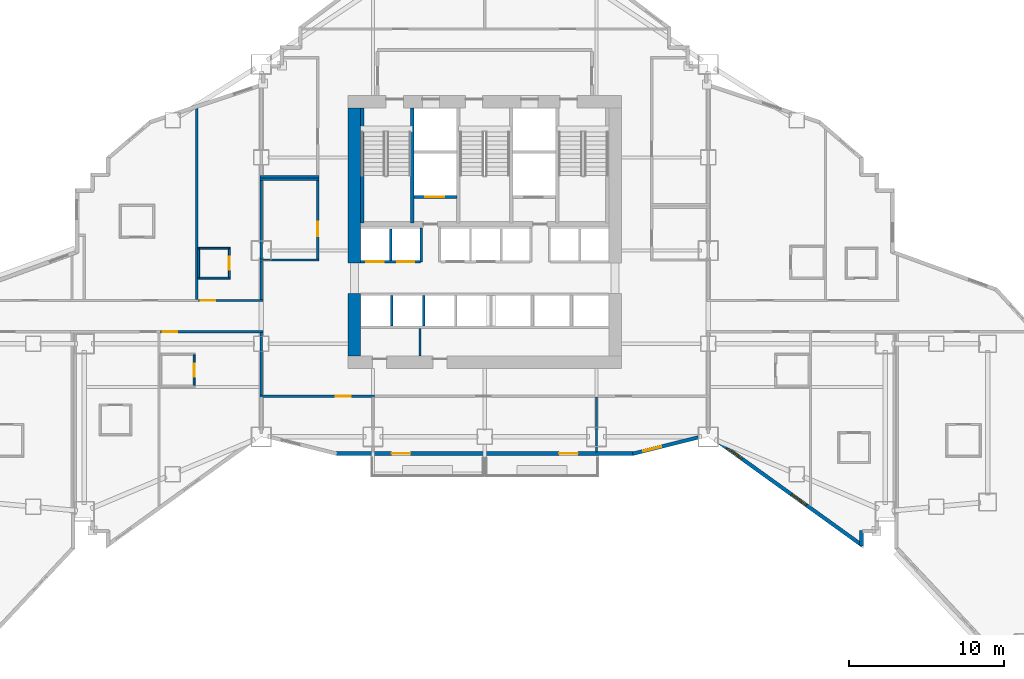
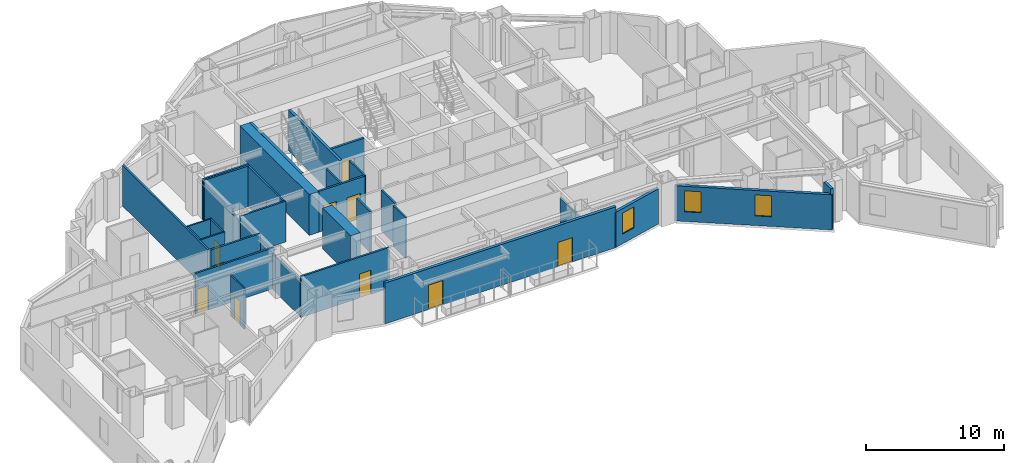
# One storey, part 8 of 17: 32 walls, 11 doors, 3 windows, 14 openings.
"""IFC4 building model written with IfcOpenShell, lengths in metres."""

from ifc_helpers import new_model, si_unit, direction, frame, frame_2d, origin, place, context, subcontext, project, spatial, rectangle, extrude, material, layer, layer_set, type_object, element, fill, save


model = new_model("IFC4")

# Units and contexts
model_context = context("Model", 3, precision=1e-05, world=origin(), true_north=direction((0.0, 1.0)))
body_context = subcontext(model_context, "Body", "Model", "MODEL_VIEW")
ifc_project = project(units=[si_unit("LENGTHUNIT", "METRE"), si_unit("AREAUNIT", "SQUARE_METRE"), si_unit("VOLUMEUNIT", "CUBIC_METRE"), si_unit("PLANEANGLEUNIT", "RADIAN"), si_unit("MASSUNIT", "GRAM", prefix="KILO")], contexts=[model_context])

# Site, building, storey
site_placement = place(None, origin())
site = spatial("IfcSite", under=ifc_project, at=site_placement, CompositionType="ELEMENT")
building_placement = place(site_placement, origin())
building = spatial("IfcBuilding", under=site, at=building_placement, Name="Haolan Belvedere Tower", CompositionType="ELEMENT")
storey_placement = place(building_placement, frame((0.0, 0.0, 27.800048828125)))
storey = spatial("IfcBuildingStorey", under=building, at=storey_placement, Name="L06", CompositionType="ELEMENT", Elevation=27.800048828125)

# Walls
ifc_material_1 = material(Name="Concrete C70/85", Category="concrete")
ifc_layer_1 = layer(ifc_material_1, 0.800048828125, Name="Concrete C70/85")
ifc_layer_set_1 = layer_set([ifc_layer_1], Name="Concrete C70/85")
wall_type_1 = type_object("IfcWallType", Name="WL-CORE-800", PredefinedType="SHEAR", material=ifc_layer_set_1)
wall_1_placement = place(storey_placement, frame((30.0, 26.800048828125, 0.0), z_axis=(0.0, 0.0, 1.0), x_axis=(0.0, 1.0, 0.0)))
element("IfcWall", 1, at=wall_1_placement, inside=storey, type_object=wall_type_1, Name="L06 central core shear wall WS", PredefinedType="SHEAR", context=body_context, shape_type="SweptSolid", body=[
    extrude(rectangle(XDim=4.050048828125, YDim=0.800048828125, at=frame_2d((2.02490234375, 0.0))), origin(), (0.0, 0.0, 1.0), 3.599853515625),
])
wall_2_placement = place(storey_placement, frame((30.0, 32.800048828125, 0.0), z_axis=(0.0, 0.0, 1.0), x_axis=(0.0, 1.0, 0.0)))
element("IfcWall", 2, at=wall_2_placement, inside=storey, type_object=wall_type_1, Name="L06 central core shear wall WN", PredefinedType="SHEAR", context=body_context, shape_type="SweptSolid", body=[
    extrude(rectangle(XDim=10.0, YDim=0.800048828125, at=frame_2d((5.0, 0.0))), origin(), (0.0, 0.0, 1.0), 3.599853515625),
])

# Wall, openings, doors
ifc_material_2 = material(Name="Precast concrete C40/50", Category="concrete")
ifc_layer_2 = layer(ifc_material_2, 0.239990234375, Name="Precast concrete C40/50")
ifc_layer_set_2 = layer_set([ifc_layer_2], Name="Precast concrete C40/50")
wall_type_2 = type_object("IfcWallType", Name="WL-EXT-240", PredefinedType="SOLIDWALL", material=ifc_layer_set_2)
wall_3_placement = place(storey_placement, frame((28.759765625, 20.52001953125, 0.0), z_axis=(0.0, 0.0, 1.0), x_axis=(1.0, 0.0, 0.0)))
wall_3 = element("IfcWall", 3, at=wall_3_placement, inside=storey, type_object=wall_type_2, Name="L06 pale-metal exterior spandrel wall 13.1", PredefinedType="SOLIDWALL", context=body_context, shape_type="SweptSolid", body=[
    extrude(rectangle(XDim=19.280517578125, YDim=0.239990234375, at=frame_2d((9.64013671875, 0.0))), origin(), (0.0, 0.0, 1.0), 3.599853515625),
])
opening_1_placement = place(wall_3_placement, frame((4.840087890625, 0.0, 0.0), z_axis=(0.0, 0.0, 1.0), x_axis=(-1.0, 0.0, 0.0)))
opening_1 = element("IfcOpeningElement", 4, at=opening_1_placement, cuts=wall_3, Name="Opening BD-01", PredefinedType="OPENING", context=body_context, shape_type="SweptSolid", body=[
    extrude(rectangle(XDim=1.199951171875, YDim=2.14990234375, at=frame_2d((0.60009765625, 1.074951171875))), frame((0.0, 0.1298828125, 0.0), z_axis=(0.0, -1.0, 0.0), x_axis=(1.0, 0.0, 0.0)), (0.0, 0.0, 1.0), 0.260009765625),
])
opening_2_placement = place(wall_3_placement, frame((15.64013671875, 0.0, 0.0), z_axis=(0.0, 0.0, 1.0), x_axis=(-1.0, 0.0, 0.0)))
opening_2 = element("IfcOpeningElement", 5, at=opening_2_placement, cuts=wall_3, Name="Opening BD-01", PredefinedType="OPENING", context=body_context, shape_type="SweptSolid", body=[
    extrude(rectangle(XDim=1.199951171875, YDim=2.14990234375, at=frame_2d((0.60009765625, 1.074951171875))), frame((0.0, 0.1298828125, 0.0), z_axis=(0.0, -1.0, 0.0), x_axis=(1.0, 0.0, 0.0)), (0.0, 0.0, 1.0), 0.260009765625),
])
ifc_material_3 = material(Name="Thermally broken pale-metal aluminium and Low-E glass", Category="aluminium")
door_type_1 = type_object("IfcDoorType", Name="DR-BAL-1200", OperationType="NOTDEFINED", PredefinedType="DOOR", material=ifc_material_3)
door_1_placement = place(opening_1_placement, origin())
door_1 = element("IfcDoor", 6, at=door_1_placement, inside=storey, type_object=door_type_1, Name="L06 tree-balcony access door 1", OperationType="SINGLE_SWING_RIGHT", OverallHeight=2.14990234375, OverallWidth=1.199951171875, PredefinedType="DOOR", context=body_context, shape_type="SweptSolid", body=[
    extrude(rectangle(XDim=1.199951171875, YDim=2.14990234375, at=frame_2d((0.60009765625, 1.074951171875))), frame((0.0, 0.02490234375, 0.0), z_axis=(0.0, -1.0, 0.0), x_axis=(1.0, 0.0, 0.0)), (0.0, 0.0, 1.0), 0.050048828125),
])
fill(opening_1, door_1)
door_2_placement = place(opening_2_placement, origin())
door_2 = element("IfcDoor", 7, at=door_2_placement, inside=storey, type_object=door_type_1, Name="L06 tree-balcony access door 2", OperationType="SINGLE_SWING_LEFT", OverallHeight=2.14990234375, OverallWidth=1.199951171875, PredefinedType="DOOR", context=body_context, shape_type="SweptSolid", body=[
    extrude(rectangle(XDim=1.199951171875, YDim=2.14990234375, at=frame_2d((0.60009765625, 1.074951171875))), frame((0.0, 0.02490234375, 0.0), z_axis=(0.0, -1.0, 0.0), x_axis=(1.0, 0.0, 0.0)), (0.0, 0.0, 1.0), 0.050048828125),
])
fill(opening_2, door_2)

# Wall, opening, window
wall_4_placement = place(storey_placement, frame((47.931884765625, 20.506591796875, 0.0), z_axis=(0.0, 0.0, 1.0), x_axis=(0.970135906278, 0.242561998982, 0.0)))
wall_4 = element("IfcWall", 8, at=wall_4_placement, inside=storey, type_object=wall_type_2, Name="L06 pale-metal exterior spandrel wall 14.1", PredefinedType="SOLIDWALL", context=body_context, shape_type="SweptSolid", body=[
    extrude(rectangle(XDim=4.356201171875, YDim=0.239990234375, at=frame_2d((2.17822265625, 0.0))), origin(), (0.0, 0.0, 1.0), 3.096923828125),
])
opening_3_placement = place(wall_4_placement, frame((0.699951171875, 0.0, 0.85009765625)))
opening_3 = element("IfcOpeningElement", 9, at=opening_3_placement, cuts=wall_4, Name="Opening W-01", PredefinedType="OPENING", context=body_context, shape_type="SweptSolid", body=[
    extrude(rectangle(XDim=1.199951171875, YDim=1.85009765625, at=frame_2d((0.60009765625, 0.925048828125))), frame((0.0, 0.1298828125, 0.0), z_axis=(0.0, -1.0, 0.0), x_axis=(1.0, 0.0, 0.0)), (0.0, 0.0, 1.0), 0.260009765625),
])
ifc_material_4 = material(Name="Anodised aluminium 6063-T6 and Low-E glass", Category="aluminium")
window_type = type_object("IfcWindowType", Name="WN-DECO-Z1", PartitioningType="SINGLE_PANEL", PredefinedType="WINDOW", material=ifc_material_4)
window_1_placement = place(opening_3_placement, origin())
window_1 = element("IfcWindow", 10, at=window_1_placement, inside=storey, type_object=window_type, Name="L06 Art Deco chevron window 1", OverallHeight=1.85009765625, OverallWidth=1.199951171875, PartitioningType="SINGLE_PANEL", PredefinedType="WINDOW", context=body_context, shape_type="SweptSolid", body=[
    extrude(rectangle(XDim=1.199951171875, YDim=1.85009765625, at=frame_2d((0.60009765625, 0.925048828125))), frame((0.0, 0.030029296875, 0.0), z_axis=(0.0, -1.0, 0.0), x_axis=(1.0, 0.0, 0.0)), (0.0, 0.0, 1.0), 0.06005859375),
])
fill(opening_3, window_1)

# Wall, openings, windows
wall_5_placement = place(storey_placement, frame((53.44189453125, 21.28564453125, 0.0), z_axis=(0.0, 0.0, 1.0), x_axis=(0.811542842993, -0.584292917967, 0.0)))
wall_5 = element("IfcWall", 11, at=wall_5_placement, inside=storey, type_object=wall_type_2, Name="L06 pale-metal exterior spandrel wall 15.1", PredefinedType="SOLIDWALL", context=body_context, shape_type="SweptSolid", body=[
    extrude(rectangle(XDim=11.4384765625, YDim=0.239990234375, at=frame_2d((5.71923828125, 0.0))), origin(), (0.0, 0.0, 1.0), 3.096923828125),
])
opening_4_placement = place(wall_5_placement, frame((0.699951171875, 0.0, 0.85009765625)))
opening_4 = element("IfcOpeningElement", 12, at=opening_4_placement, cuts=wall_5, Name="Opening W-01", PredefinedType="OPENING", context=body_context, shape_type="SweptSolid", body=[
    extrude(rectangle(XDim=1.199951171875, YDim=1.85009765625, at=frame_2d((0.60009765625, 0.925048828125))), frame((0.0, 0.1298828125, 0.0), z_axis=(0.0, -1.0, 0.0), x_axis=(1.0, 0.0, 0.0)), (0.0, 0.0, 1.0), 0.260009765625),
])
opening_5_placement = place(wall_5_placement, frame((5.818603515625, 0.0, 0.85009765625)))
opening_5 = element("IfcOpeningElement", 13, at=opening_5_placement, cuts=wall_5, Name="Opening W-01", PredefinedType="OPENING", context=body_context, shape_type="SweptSolid", body=[
    extrude(rectangle(XDim=1.199951171875, YDim=1.85009765625, at=frame_2d((0.60009765625, 0.925048828125))), frame((0.0, 0.1298828125, 0.0), z_axis=(0.0, -1.0, 0.0), x_axis=(1.0, 0.0, 0.0)), (0.0, 0.0, 1.0), 0.260009765625),
])
window_2_placement = place(opening_4_placement, origin())
window_2 = element("IfcWindow", 14, at=window_2_placement, inside=storey, type_object=window_type, Name="L06 Art Deco chevron window 1", OverallHeight=1.85009765625, OverallWidth=1.199951171875, PartitioningType="SINGLE_PANEL", PredefinedType="WINDOW", context=body_context, shape_type="SweptSolid", body=[
    extrude(rectangle(XDim=1.199951171875, YDim=1.85009765625, at=frame_2d((0.60009765625, 0.925048828125))), frame((0.0, 0.030029296875, 0.0), z_axis=(0.0, -1.0, 0.0), x_axis=(1.0, 0.0, 0.0)), (0.0, 0.0, 1.0), 0.06005859375),
])
fill(opening_4, window_2)
window_3_placement = place(opening_5_placement, origin())
window_3 = element("IfcWindow", 15, at=window_3_placement, inside=storey, type_object=window_type, Name="L06 Art Deco chevron window 2", OverallHeight=1.85009765625, OverallWidth=1.199951171875, PartitioningType="SINGLE_PANEL", PredefinedType="WINDOW", context=body_context, shape_type="SweptSolid", body=[
    extrude(rectangle(XDim=1.199951171875, YDim=1.85009765625, at=frame_2d((0.60009765625, 0.925048828125))), frame((0.0, 0.030029296875, 0.0), z_axis=(0.0, -1.0, 0.0), x_axis=(1.0, 0.0, 0.0)), (0.0, 0.0, 1.0), 0.06005859375),
])
fill(opening_5, window_3)

# Walls
wall_6_placement = place(storey_placement, frame((62.679931640625, 14.579345703125, 0.0), z_axis=(0.0, 0.0, 1.0), x_axis=(0.0, 1.0, 0.0)))
element("IfcWall", 16, at=wall_6_placement, inside=storey, type_object=wall_type_2, Name="L06 pale-metal exterior spandrel wall 16.1", PredefinedType="SOLIDWALL", context=body_context, shape_type="SweptSolid", body=[
    extrude(rectangle(XDim=0.99560546875, YDim=0.239990234375, at=frame_2d((0.497802734375, 0.0))), origin(), (0.0, 0.0, 1.0), 3.599853515625),
])
ifc_material_5 = material(Name="Double gypsum acoustic stud partition", Category="masonry")
ifc_layer_3 = layer(ifc_material_5, 0.14990234375, Name="Double gypsum acoustic stud partition")
ifc_layer_set_3 = layer_set([ifc_layer_3], Name="Double gypsum acoustic stud partition")
wall_type_3 = type_object("IfcWallType", Name="WL-PART-150", PredefinedType="PARTITIONING", material=ifc_layer_set_3)
wall_7_placement = place(storey_placement, frame((34.22998046875, 26.81005859375, 0.0), z_axis=(0.0, 0.0, 1.0), x_axis=(0.0, 1.0, 0.0)))
element("IfcWall", 17, at=wall_7_placement, inside=storey, type_object=wall_type_3, Name="L06 interior partition IW-L06-SCV-DIV-1", PredefinedType="PARTITIONING", context=body_context, shape_type="SweptSolid", body=[
    extrude(rectangle(XDim=1.77001953125, YDim=0.14990234375, at=frame_2d((0.885009765625, 0.0))), origin(), (0.0, 0.0, 1.0), 3.599853515625),
])
for number, where, z_axis, x_axis, name in (
    (18, (23.919921875, 38.199951171875, 0.0), (0.0, 0.0, 1.0), (1.0, 0.0, 0.0), "L06 interior partition IW-L06-HSK-N"),
    (19, (23.919921875, 33.0, 0.0), (0.0, 0.0, 1.0), (1.0, 0.0, 0.0), "L06 interior partition IW-L06-HSK-S"),
):
    element("IfcWall", number, at=place(storey_placement, frame(where, z_axis=z_axis, x_axis=x_axis)), inside=storey, type_object=wall_type_3, Name=name, PredefinedType="PARTITIONING", context=body_context, shape_type="SweptSolid", body=[
        extrude(rectangle(XDim=3.800048828125, YDim=0.14990234375, at=frame_2d((1.89990234375, 0.0))), origin(), (0.0, 0.0, 1.0), 3.599853515625),
    ])
wall_8_placement = place(storey_placement, frame((24.0, 33.06005859375, 0.0), z_axis=(0.0, 0.0, 1.0), x_axis=(0.0, 1.0, 0.0)))
element("IfcWall", 20, at=wall_8_placement, inside=storey, type_object=wall_type_3, Name="L06 interior partition IW-L06-HSK-W", PredefinedType="PARTITIONING", context=body_context, shape_type="SweptSolid", body=[
    extrude(rectangle(XDim=5.079833984375, YDim=0.14990234375, at=frame_2d((2.5400390625, 0.0))), origin(), (0.0, 0.0, 1.0), 3.096923828125),
])

# Wall, opening, door
wall_9_placement = place(storey_placement, frame((27.639892578125, 33.06005859375, 0.0), z_axis=(0.0, 0.0, 1.0), x_axis=(0.0, 1.0, 0.0)))
wall_9 = element("IfcWall", 21, at=wall_9_placement, inside=storey, type_object=wall_type_3, Name="L06 interior partition IW-L06-HSK-E", PredefinedType="PARTITIONING", context=body_context, shape_type="SweptSolid", body=[
    extrude(rectangle(XDim=5.079833984375, YDim=0.14990234375, at=frame_2d((2.5400390625, 0.0))), origin(), (0.0, 0.0, 1.0), 3.599853515625),
])
opening_6_placement = place(wall_9_placement, frame((2.409912109375, 0.0, 0.0), z_axis=(0.0, 0.0, 1.0), x_axis=(-1.0, 0.0, 0.0)))
opening_6 = element("IfcOpeningElement", 22, at=opening_6_placement, cuts=wall_9, Name="Opening ID-03", PredefinedType="OPENING", context=body_context, shape_type="SweptSolid", body=[
    extrude(rectangle(XDim=0.949951171875, YDim=2.1201171875, at=frame_2d((0.47509765625, 1.06005859375))), frame((0.0, 0.0849609375, 0.0), z_axis=(0.0, -1.0, 0.0), x_axis=(1.0, 0.0, 0.0)), (0.0, 0.0, 1.0), 0.169921875),
])
ifc_material_6 = material(Name="Painted solid-core timber", Category="wood")
door_type_2 = type_object("IfcDoorType", Name="DR-INT-950", OperationType="NOTDEFINED", PredefinedType="DOOR", material=ifc_material_6)
door_3_placement = place(opening_6_placement, origin())
door_3 = element("IfcDoor", 23, at=door_3_placement, inside=storey, type_object=door_type_2, Name="L06 door ID-L06-HSK", OperationType="SINGLE_SWING_LEFT", OverallHeight=2.1201171875, OverallWidth=0.949951171875, PredefinedType="DOOR", context=body_context, shape_type="SweptSolid", body=[
    extrude(rectangle(XDim=0.949951171875, YDim=2.1201171875, at=frame_2d((0.47509765625, 1.06005859375))), frame((0.0, 0.02490234375, 0.0), z_axis=(0.0, -1.0, 0.0), x_axis=(1.0, 0.0, 0.0)), (0.0, 0.0, 1.0), 0.050048828125),
])
fill(opening_6, door_3)

# Wall
wall_10_placement = place(storey_placement, frame((23.919921875, 38.360107421875, 0.0), z_axis=(0.0, 0.0, 1.0), x_axis=(1.0, 0.0, 0.0)))
element("IfcWall", 24, at=wall_10_placement, inside=storey, type_object=wall_type_3, Name="L06 interior partition IW-L06-VLT-S", PredefinedType="PARTITIONING", context=body_context, shape_type="SweptSolid", body=[
    extrude(rectangle(XDim=3.800048828125, YDim=0.14990234375, at=frame_2d((1.89990234375, 0.0))), origin(), (0.0, 0.0, 1.0), 3.599853515625),
])

# Wall, opening, door
wall_11_placement = place(storey_placement, frame((23.919921875, 24.219970703125, 0.0), z_axis=(0.0, 0.0, 1.0), x_axis=(1.0, 0.0, 0.0)))
wall_11 = element("IfcWall", 25, at=wall_11_placement, inside=storey, type_object=wall_type_3, Name="L06 interior partition IW-L06-KS1-N", PredefinedType="PARTITIONING", context=body_context, shape_type="SweptSolid", body=[
    extrude(rectangle(XDim=7.360107421875, YDim=0.14990234375, at=frame_2d((3.68017578125, 0.0))), origin(), (0.0, 0.0, 1.0), 3.599853515625),
])
opening_7_placement = place(wall_11_placement, frame((5.844970703125, 0.0, 0.0), z_axis=(0.0, 0.0, 1.0), x_axis=(-1.0, 0.0, 0.0)))
opening_7 = element("IfcOpeningElement", 26, at=opening_7_placement, cuts=wall_11, Name="Opening ID-03", PredefinedType="OPENING", context=body_context, shape_type="SweptSolid", body=[
    extrude(rectangle(XDim=0.949951171875, YDim=2.1201171875, at=frame_2d((0.47509765625, 1.06005859375))), frame((0.0, 0.0849609375, 0.0), z_axis=(0.0, -1.0, 0.0), x_axis=(1.0, 0.0, 0.0)), (0.0, 0.0, 1.0), 0.169921875),
])
door_4_placement = place(opening_7_placement, origin())
door_4 = element("IfcDoor", 27, at=door_4_placement, inside=storey, type_object=door_type_2, Name="L06 door ID-L06-KS1", OperationType="SINGLE_SWING_RIGHT", OverallHeight=2.1201171875, OverallWidth=0.949951171875, PredefinedType="DOOR", context=body_context, shape_type="SweptSolid", body=[
    extrude(rectangle(XDim=0.949951171875, YDim=2.1201171875, at=frame_2d((0.47509765625, 1.06005859375))), frame((0.0, 0.02490234375, 0.0), z_axis=(0.0, -1.0, 0.0), x_axis=(1.0, 0.0, 0.0)), (0.0, 0.0, 1.0), 0.050048828125),
])
fill(opening_7, door_4)

# Walls
wall_12_placement = place(storey_placement, frame((45.60009765625, 20.625, 0.0), z_axis=(0.0, 0.0, 1.0), x_axis=(0.0, 1.0, 0.0)))
element("IfcWall", 28, at=wall_12_placement, inside=storey, type_object=wall_type_3, Name="L06 interior partition IW-L06-KS2-E", PredefinedType="PARTITIONING", context=body_context, shape_type="SweptSolid", body=[
    extrude(rectangle(XDim=3.534912109375, YDim=0.14990234375, at=frame_2d((1.767578125, 0.0))), origin(), (0.0, 0.0, 1.0), 2.98486328125),
])
wall_13_placement = place(storey_placement, frame((19.85009765625, 30.43994140625, 0.0), z_axis=(0.0, 0.0, 1.0), x_axis=(0.0, 1.0, 0.0)))
element("IfcWall", 29, at=wall_13_placement, inside=storey, type_object=wall_type_3, Name="L06 interior partition IW-L06-T2N1-E", PredefinedType="PARTITIONING", context=body_context, shape_type="SweptSolid", body=[
    extrude(rectangle(XDim=12.339599609375, YDim=0.14990234375, at=frame_2d((6.169921875, 0.0))), origin(), (0.0, 0.0, 1.0), 3.599853515625),
])

# Wall, opening, door
wall_14_placement = place(storey_placement, frame((19.951904296875, 30.3798828125, 0.0), z_axis=(0.0, 0.0, 1.0), x_axis=(1.0, 0.0, 0.0)))
wall_14 = element("IfcWall", 30, at=wall_14_placement, inside=storey, type_object=wall_type_3, Name="L06 interior partition IW-L06-T2N2-S", PredefinedType="PARTITIONING", context=body_context, shape_type="SweptSolid", body=[
    extrude(rectangle(XDim=4.148193359375, YDim=0.14990234375, at=frame_2d((2.07421875, 0.0))), origin(), (0.0, 0.0, 1.0), 3.599853515625),
])
opening_8_placement = place(wall_14_placement, frame((0.139892578125, 0.0, 0.0)))
opening_8 = element("IfcOpeningElement", 31, at=opening_8_placement, cuts=wall_14, Name="Opening ID-02", PredefinedType="OPENING", context=body_context, shape_type="SweptSolid", body=[
    extrude(rectangle(XDim=0.949951171875, YDim=2.14990234375, at=frame_2d((0.47509765625, 1.074951171875))), frame((0.0, 0.0849609375, 0.0), z_axis=(0.0, -1.0, 0.0), x_axis=(1.0, 0.0, 0.0)), (0.0, 0.0, 1.0), 0.169921875),
])
ifc_material_7 = material(Name="Acoustic oak veneer fire-rated timber", Category="wood")
door_type_3 = type_object("IfcDoorType", Name="DR-GUEST-950", OperationType="NOTDEFINED", PredefinedType="DOOR", material=ifc_material_7)
door_5_placement = place(opening_8_placement, origin())
door_5 = element("IfcDoor", 32, at=door_5_placement, inside=storey, type_object=door_type_3, Name="L06 door ID-L06-T2N2-ENT", OperationType="SINGLE_SWING_RIGHT", OverallHeight=2.14990234375, OverallWidth=0.949951171875, PredefinedType="DOOR", context=body_context, shape_type="SweptSolid", body=[
    extrude(rectangle(XDim=0.949951171875, YDim=2.14990234375, at=frame_2d((0.47509765625, 1.074951171875))), frame((0.0, 0.02490234375, 0.0), z_axis=(0.0, -1.0, 0.0), x_axis=(1.0, 0.0, 0.0)), (0.0, 0.0, 1.0), 0.050048828125),
])
fill(opening_8, door_5)

# Wall
wall_15_placement = place(storey_placement, frame((24.0, 30.43994140625, 0.0), z_axis=(0.0, 0.0, 1.0), x_axis=(0.0, 1.0, 0.0)))
element("IfcWall", 33, at=wall_15_placement, inside=storey, type_object=wall_type_3, Name="L06 interior partition IW-L06-T2N2-E", PredefinedType="PARTITIONING", context=body_context, shape_type="SweptSolid", body=[
    extrude(rectangle(XDim=2.5, YDim=0.14990234375, at=frame_2d((1.25, 0.0))), origin(), (0.0, 0.0, 1.0), 3.096923828125),
])

# Wall, opening, door
wall_16_placement = place(storey_placement, frame((17.511962890625, 28.3701171875, 0.0), z_axis=(0.0, 0.0, 1.0), x_axis=(1.0, 0.0, 0.0)))
wall_16 = element("IfcWall", 34, at=wall_16_placement, inside=storey, type_object=wall_type_3, Name="L06 interior partition IW-L06-T2S2-N", PredefinedType="PARTITIONING", context=body_context, shape_type="SweptSolid", body=[
    extrude(rectangle(XDim=6.588134765625, YDim=0.14990234375, at=frame_2d((3.2939453125, 0.0))), origin(), (0.0, 0.0, 1.0), 3.599853515625),
])
opening_9_placement = place(wall_16_placement, frame((1.08984375, 0.0, 0.0), z_axis=(0.0, 0.0, 1.0), x_axis=(-1.0, 0.0, 0.0)))
opening_9 = element("IfcOpeningElement", 35, at=opening_9_placement, cuts=wall_16, Name="Opening ID-01", PredefinedType="OPENING", context=body_context, shape_type="SweptSolid", body=[
    extrude(rectangle(XDim=0.949951171875, YDim=2.179931640625, at=frame_2d((0.47509765625, 1.08984375))), frame((0.0, 0.0849609375, 0.0), z_axis=(0.0, -1.0, 0.0), x_axis=(1.0, 0.0, 0.0)), (0.0, 0.0, 1.0), 0.169921875),
])
ifc_material_8 = material(Name="Acoustic walnut veneer fire-rated timber", Category="wood")
door_type_4 = type_object("IfcDoorType", Name="DR-SUITE-950", OperationType="NOTDEFINED", PredefinedType="DOOR", material=ifc_material_8)
door_6_placement = place(opening_9_placement, origin())
door_6 = element("IfcDoor", 36, at=door_6_placement, inside=storey, type_object=door_type_4, Name="L06 door ID-L06-T2S2-ENT", OperationType="SINGLE_SWING_RIGHT", OverallHeight=2.179931640625, OverallWidth=0.949951171875, PredefinedType="DOOR", context=body_context, shape_type="SweptSolid", body=[
    extrude(rectangle(XDim=0.949951171875, YDim=2.179931640625, at=frame_2d((0.47509765625, 1.08984375))), frame((0.0, 0.02490234375, 0.0), z_axis=(0.0, -1.0, 0.0), x_axis=(1.0, 0.0, 0.0)), (0.0, 0.0, 1.0), 0.050048828125),
])
fill(opening_9, door_6)

# Walls
wall_17_placement = place(storey_placement, frame((24.0, 24.280029296875, 0.0), z_axis=(0.0, 0.0, 1.0), x_axis=(0.0, 1.0, 0.0)))
element("IfcWall", 37, at=wall_17_placement, inside=storey, type_object=wall_type_3, Name="L06 interior partition IW-L06-T2S2-E", PredefinedType="PARTITIONING", context=body_context, shape_type="SweptSolid", body=[
    extrude(rectangle(XDim=4.030029296875, YDim=0.14990234375, at=frame_2d((2.01513671875, 0.0))), origin(), (0.0, 0.0, 1.0), 3.096923828125),
])
ifc_material_9 = material(Name="Gypsum fire shaftwall assembly", Category="masonry")
ifc_layer_4 = layer(ifc_material_9, 0.1650390625, Name="Gypsum fire shaftwall assembly")
ifc_layer_set_4 = layer_set([ifc_layer_4], Name="Gypsum fire shaftwall assembly")
wall_type_4 = type_object("IfcWallType", Name="WL-SHAFT-160", PredefinedType="SOLIDWALL", material=ifc_layer_set_4)
wall_18_placement = place(storey_placement, frame((34.31005859375, 32.8798828125, 0.0), z_axis=(0.0, 0.0, 1.0), x_axis=(0.0, 1.0, 0.0)))
element("IfcWall", 38, at=wall_18_placement, inside=storey, type_object=wall_type_4, Name="L06 interior partition IW-L06-SVP-W-SV1", PredefinedType="SOLIDWALL", context=body_context, shape_type="SweptSolid", body=[
    extrude(rectangle(XDim=2.170166015625, YDim=0.14990234375, at=frame_2d((1.0849609375, 0.0))), origin(), (0.0, 0.0, 1.0), 3.599853515625),
])

# Wall, openings, doors
wall_19_placement = place(storey_placement, frame((30.39990234375, 32.8798828125, 0.0), z_axis=(0.0, 0.0, 1.0), x_axis=(1.0, 0.0, 0.0)))
wall_19 = element("IfcWall", 39, at=wall_19_placement, inside=storey, type_object=wall_type_4, Name="L06 interior partition IW-L06-ROW-PN1", PredefinedType="SOLIDWALL", context=body_context, shape_type="SweptSolid", body=[
    extrude(rectangle(XDim=3.85009765625, YDim=0.159912109375, at=frame_2d((1.925048828125, 0.0))), origin(), (0.0, 0.0, 1.0), 3.599853515625),
])
opening_10_placement = place(wall_19_placement, frame((1.47998046875, 0.0, 0.0), z_axis=(0.0, 0.0, 1.0), x_axis=(-1.0, 0.0, 0.0)))
opening_10 = element("IfcOpeningElement", 40, at=opening_10_placement, cuts=wall_19, Name="Opening LD-01", PredefinedType="OPENING", context=body_context, shape_type="SweptSolid", body=[
    extrude(rectangle(XDim=1.10009765625, YDim=2.199951171875, at=frame_2d((0.550048828125, 1.10009765625))), frame((0.0, 0.08984375, 0.0), z_axis=(0.0, -1.0, 0.0), x_axis=(1.0, 0.0, 0.0)), (0.0, 0.0, 1.0), 0.179931640625),
])
opening_11_placement = place(wall_19_placement, frame((3.47021484375, 0.0, 0.0), z_axis=(0.0, 0.0, 1.0), x_axis=(-1.0, 0.0, 0.0)))
opening_11 = element("IfcOpeningElement", 41, at=opening_11_placement, cuts=wall_19, Name="Opening LD-01", PredefinedType="OPENING", context=body_context, shape_type="SweptSolid", body=[
    extrude(rectangle(XDim=1.10009765625, YDim=2.199951171875, at=frame_2d((0.550048828125, 1.10009765625))), frame((0.0, 0.08984375, 0.0), z_axis=(0.0, -1.0, 0.0), x_axis=(1.0, 0.0, 0.0)), (0.0, 0.0, 1.0), 0.179931640625),
])
ifc_material_10 = material(Name="Brushed champagne stainless steel 316L", Category="steel")
door_type_5 = type_object("IfcDoorType", Name="DR-LIFT-1100", OperationType="SLIDING_TO_LEFT", PredefinedType="DOOR", material=ifc_material_10)
door_7_placement = place(opening_10_placement, origin())
door_7 = element("IfcDoor", 42, at=door_7_placement, inside=storey, type_object=door_type_5, Name="L06 door ID-L06-LD-PL1", OperationType="SLIDING_TO_LEFT", OverallHeight=2.199951171875, OverallWidth=1.10009765625, PredefinedType="DOOR", context=body_context, shape_type="SweptSolid", body=[
    extrude(rectangle(XDim=1.10009765625, YDim=2.199951171875, at=frame_2d((0.550048828125, 1.10009765625))), frame((0.0, 0.02490234375, 0.0), z_axis=(0.0, -1.0, 0.0), x_axis=(1.0, 0.0, 0.0)), (0.0, 0.0, 1.0), 0.050048828125),
])
fill(opening_10, door_7)
door_8_placement = place(opening_11_placement, origin())
door_8 = element("IfcDoor", 43, at=door_8_placement, inside=storey, type_object=door_type_5, Name="L06 door ID-L06-LD-PL2", OperationType="SLIDING_TO_LEFT", OverallHeight=2.199951171875, OverallWidth=1.10009765625, PredefinedType="DOOR", context=body_context, shape_type="SweptSolid", body=[
    extrude(rectangle(XDim=1.10009765625, YDim=2.199951171875, at=frame_2d((0.550048828125, 1.10009765625))), frame((0.0, 0.02490234375, 0.0), z_axis=(0.0, -1.0, 0.0), x_axis=(1.0, 0.0, 0.0)), (0.0, 0.0, 1.0), 0.050048828125),
])
fill(opening_11, door_8)

# Walls
wall_20_placement = place(storey_placement, frame((32.340087890625, 32.949951171875, 0.0), z_axis=(0.0, 0.0, 1.0), x_axis=(0.0, 1.0, 0.0)))
element("IfcWall", 44, at=wall_20_placement, inside=storey, type_object=wall_type_4, Name="L06 interior partition IW-L06-DIV-PL1", PredefinedType="SOLIDWALL", context=body_context, shape_type="SweptSolid", body=[
    extrude(rectangle(XDim=2.050048828125, YDim=0.14990234375, at=frame_2d((1.02490234375, 0.0))), origin(), (0.0, 0.0, 1.0), 3.599853515625),
])
for number, where, z_axis, x_axis, name in (
    (45, (32.39990234375, 28.735107421875, 0.0), (0.0, 0.0, 1.0), (0.0, 1.0, 0.0), "L06 interior partition IW-L06-DIV-PM1"),
    (46, (34.4599609375, 28.735107421875, 0.0), (0.0, 0.0, 1.0), (0.0, 1.0, 0.0), "L06 interior partition IW-L06-DIV-PM2"),
):
    element("IfcWall", number, at=place(storey_placement, frame(where, z_axis=z_axis, x_axis=x_axis)), inside=storey, type_object=wall_type_4, Name=name, PredefinedType="SOLIDWALL", context=body_context, shape_type="SweptSolid", body=[
        extrude(rectangle(XDim=1.98486328125, YDim=0.14990234375, at=frame_2d((0.992431640625, 0.0))), origin(), (0.0, 0.0, 1.0), 3.599853515625),
    ])

# Wall, opening, door
ifc_layer_5 = layer(ifc_material_2, 0.179931640625, Name="Precast concrete C40/50")
ifc_layer_set_5 = layer_set([ifc_layer_5], Name="Precast concrete C40/50")
wall_type_5 = type_object("IfcWallType", Name="WL-SHAFT-180", PredefinedType="SOLIDWALL", material=ifc_layer_set_5)
wall_21_placement = place(storey_placement, frame((33.8349609375, 37.050048828125, 0.0), z_axis=(0.0, 0.0, 1.0), x_axis=(1.0, 0.0, 0.0)))
wall_21 = element("IfcWall", 47, at=wall_21_placement, inside=storey, type_object=wall_type_5, Name="L06 interior partition IW-L06-SV1-S", PredefinedType="SOLIDWALL", context=body_context, shape_type="SweptSolid", body=[
    extrude(rectangle(XDim=2.77001953125, YDim=0.179931640625, at=frame_2d((1.385009765625, 0.0))), origin(), (0.0, 0.0, 1.0), 3.599853515625),
])
opening_12_placement = place(wall_21_placement, frame((1.945068359375, 0.0, 0.0), z_axis=(0.0, 0.0, 1.0), x_axis=(-1.0, 0.0, 0.0)))
opening_12 = element("IfcOpeningElement", 48, at=opening_12_placement, cuts=wall_21, Name="Opening LD-02", PredefinedType="OPENING", context=body_context, shape_type="SweptSolid", body=[
    extrude(rectangle(XDim=1.199951171875, YDim=2.199951171875, at=frame_2d((0.60009765625, 1.10009765625))), frame((0.0, 0.099853515625, 0.0), z_axis=(0.0, -1.0, 0.0), x_axis=(1.0, 0.0, 0.0)), (0.0, 0.0, 1.0), 0.199951171875),
])
door_type_6 = type_object("IfcDoorType", Name="DR-LIFT-1200", OperationType="SLIDING_TO_RIGHT", PredefinedType="DOOR", material=ifc_material_10)
door_9_placement = place(opening_12_placement, origin())
door_9 = element("IfcDoor", 49, at=door_9_placement, inside=storey, type_object=door_type_6, Name="L06 door ID-L06-LD-SV1", OperationType="SLIDING_TO_RIGHT", OverallHeight=2.199951171875, OverallWidth=1.199951171875, PredefinedType="DOOR", context=body_context, shape_type="SweptSolid", body=[
    extrude(rectangle(XDim=1.199951171875, YDim=2.199951171875, at=frame_2d((0.60009765625, 1.10009765625))), frame((0.0, 0.02490234375, 0.0), z_axis=(0.0, -1.0, 0.0), x_axis=(1.0, 0.0, 0.0)), (0.0, 0.0, 1.0), 0.050048828125),
])
fill(opening_12, door_9)

# Walls
ifc_material_11 = material(Name="Concrete C50/60", Category="concrete")
ifc_layer_6 = layer(ifc_material_11, 0.219970703125, Name="Concrete C50/60")
ifc_layer_set_6 = layer_set([ifc_layer_6], Name="Concrete C50/60")
wall_type_6 = type_object("IfcWallType", Name="WL-STAIR-220", PredefinedType="SHEAR", material=ifc_layer_set_6)
for number, where, z_axis, x_axis, name in (
    (50, (30.511962890625, 35.389892578125, 0.0), (0.0, 0.0, 1.0), (0.0, 1.0, 0.0), "L06 structural stair core wall ST1W"),
    (51, (33.739990234375, 35.389892578125, 0.0), (0.0, 0.0, 1.0), (0.0, 1.0, 0.0), "L06 structural stair core wall ST1E"),
):
    element("IfcWall", number, at=place(storey_placement, frame(where, z_axis=z_axis, x_axis=x_axis)), inside=storey, type_object=wall_type_6, Name=name, PredefinedType="SHEAR", context=body_context, shape_type="SweptSolid", body=[
        extrude(rectangle(XDim=7.41015625, YDim=0.219970703125, at=frame_2d((3.705078125, 0.0))), origin(), (0.0, 0.0, 1.0), 3.599853515625),
    ])
ifc_material_12 = material(Name="Moisture-resistant gypsum tile partition", Category="masonry")
ifc_layer_7 = layer(ifc_material_12, 0.1201171875, Name="Moisture-resistant gypsum tile partition")
ifc_layer_set_7 = layer_set([ifc_layer_7], Name="Moisture-resistant gypsum tile partition")
wall_type_7 = type_object("IfcWallType", Name="WL-WET-120", PredefinedType="PARTITIONING", material=ifc_layer_set_7)
for number, where, z_axis, x_axis, name in (
    (52, (19.909912109375, 33.75, 0.0), (0.0, 0.0, 1.0), (1.0, 0.0, 0.0), "L06 interior partition IW-L06-T2N2-BN"),
    (53, (19.909912109375, 31.830078125, 0.0), (0.0, 0.0, 1.0), (1.0, 0.0, 0.0), "L06 interior partition IW-L06-T2N2-BS"),
):
    element("IfcWall", number, at=place(storey_placement, frame(where, z_axis=z_axis, x_axis=x_axis)), inside=storey, type_object=wall_type_7, Name=name, PredefinedType="PARTITIONING", context=body_context, shape_type="SweptSolid", body=[
        extrude(rectangle(XDim=2.09423828125, YDim=0.1201171875, at=frame_2d((1.047119140625, 0.0))), origin(), (0.0, 0.0, 1.0), 3.599853515625),
    ])
wall_22_placement = place(storey_placement, frame((19.964111328125, 31.875, 0.0), z_axis=(0.0, 0.0, 1.0), x_axis=(0.0, 1.0, 0.0)))
element("IfcWall", 54, at=wall_22_placement, inside=storey, type_object=wall_type_7, Name="L06 interior partition IW-L06-T2N2-BW", PredefinedType="PARTITIONING", context=body_context, shape_type="SweptSolid", body=[
    extrude(rectangle(XDim=1.830078125, YDim=0.1201171875, at=frame_2d((0.9150390625, 0.0))), origin(), (0.0, 0.0, 1.0), 3.599853515625),
])

# Wall, opening, door
wall_23_placement = place(storey_placement, frame((21.944091796875, 31.875, 0.0), z_axis=(0.0, 0.0, 1.0), x_axis=(0.0, 1.0, 0.0)))
wall_23 = element("IfcWall", 55, at=wall_23_placement, inside=storey, type_object=wall_type_7, Name="L06 interior partition IW-L06-T2N2-BE", PredefinedType="PARTITIONING", context=body_context, shape_type="SweptSolid", body=[
    extrude(rectangle(XDim=1.830078125, YDim=0.1201171875, at=frame_2d((0.9150390625, 0.0))), origin(), (0.0, 0.0, 1.0), 3.599853515625),
])
opening_13_placement = place(wall_23_placement, frame((0.489990234375, 0.0, 0.0)))
opening_13 = element("IfcOpeningElement", 56, at=opening_13_placement, cuts=wall_23, Name="Opening ID-05", PredefinedType="OPENING", context=body_context, shape_type="SweptSolid", body=[
    extrude(rectangle(XDim=0.85009765625, YDim=2.10009765625, at=frame_2d((0.425048828125, 1.050048828125))), frame((0.0, 0.070068359375, 0.0), z_axis=(0.0, -1.0, 0.0), x_axis=(1.0, 0.0, 0.0)), (0.0, 0.0, 1.0), 0.14013671875),
])
ifc_material_13 = material(Name="Moisture-resistant lacquered timber", Category="wood")
door_type_7 = type_object("IfcDoorType", Name="DR-BATH-850", OperationType="NOTDEFINED", PredefinedType="DOOR", material=ifc_material_13)
door_10_placement = place(opening_13_placement, origin())
door_10 = element("IfcDoor", 57, at=door_10_placement, inside=storey, type_object=door_type_7, Name="L06 door ID-L06-T2N2-BATH", OperationType="SINGLE_SWING_LEFT", OverallHeight=2.10009765625, OverallWidth=0.85009765625, PredefinedType="DOOR", context=body_context, shape_type="SweptSolid", body=[
    extrude(rectangle(XDim=0.85009765625, YDim=2.10009765625, at=frame_2d((0.425048828125, 1.050048828125))), frame((0.0, 0.02490234375, 0.0), z_axis=(0.0, -1.0, 0.0), x_axis=(1.0, 0.0, 0.0)), (0.0, 0.0, 1.0), 0.050048828125),
])
fill(opening_13, door_10)

wall_24_placement = place(storey_placement, frame((19.675048828125, 24.9150390625, 0.0), z_axis=(0.0, 0.0, 1.0), x_axis=(0.0, 1.0, 0.0)))
wall_24 = element("IfcWall", 58, at=wall_24_placement, inside=storey, type_object=wall_type_7, Name="L06 interior partition IW-L06-T2S2-BE", PredefinedType="PARTITIONING", context=body_context, shape_type="SweptSolid", body=[
    extrude(rectangle(XDim=1.9599609375, YDim=0.1201171875, at=frame_2d((0.97998046875, 0.0))), origin(), (0.0, 0.0, 1.0), 3.599853515625),
])
opening_14_placement = place(wall_24_placement, frame((0.554931640625, 0.0, 0.0)))
opening_14 = element("IfcOpeningElement", 59, at=opening_14_placement, cuts=wall_24, Name="Opening ID-05", PredefinedType="OPENING", context=body_context, shape_type="SweptSolid", body=[
    extrude(rectangle(XDim=0.85009765625, YDim=2.10009765625, at=frame_2d((0.425048828125, 1.050048828125))), frame((0.0, 0.070068359375, 0.0), z_axis=(0.0, -1.0, 0.0), x_axis=(1.0, 0.0, 0.0)), (0.0, 0.0, 1.0), 0.14013671875),
])
door_11_placement = place(opening_14_placement, origin())
door_11 = element("IfcDoor", 60, at=door_11_placement, inside=storey, type_object=door_type_7, Name="L06 door ID-L06-T2S2-BATH", OperationType="SINGLE_SWING_LEFT", OverallHeight=2.10009765625, OverallWidth=0.85009765625, PredefinedType="DOOR", context=body_context, shape_type="SweptSolid", body=[
    extrude(rectangle(XDim=0.85009765625, YDim=2.10009765625, at=frame_2d((0.425048828125, 1.050048828125))), frame((0.0, 0.02490234375, 0.0), z_axis=(0.0, -1.0, 0.0), x_axis=(1.0, 0.0, 0.0)), (0.0, 0.0, 1.0), 0.050048828125),
])
fill(opening_14, door_11)

save(model, "model.ifc")
